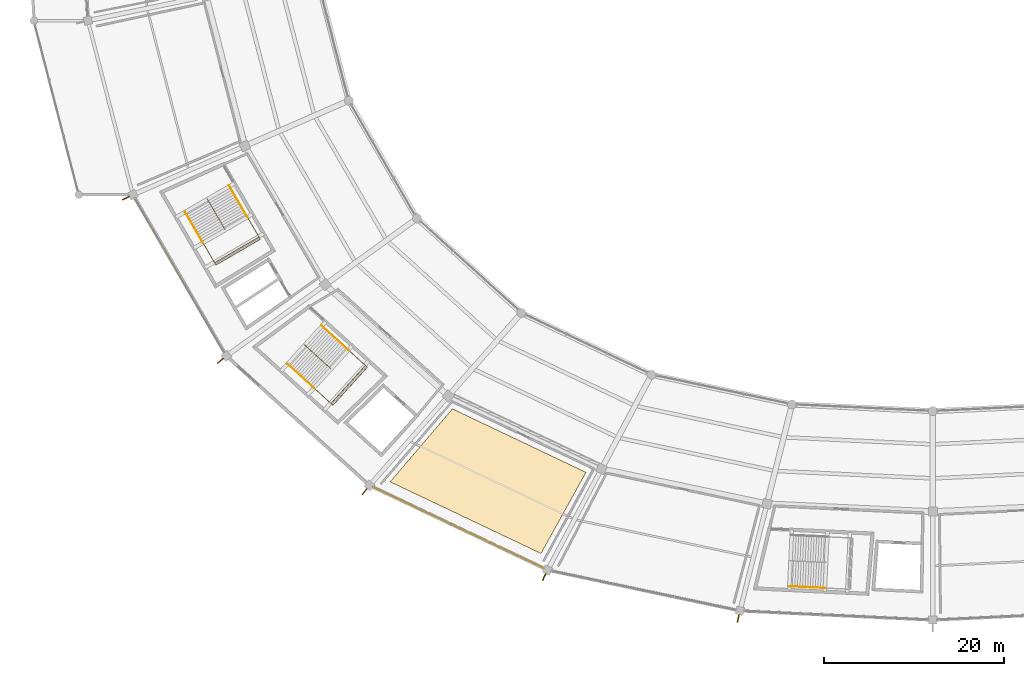
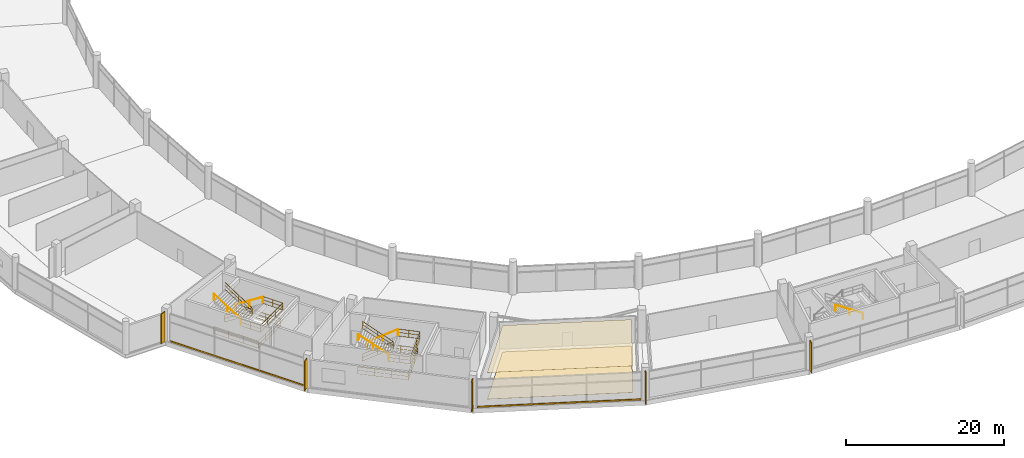
# One storey, part 177 of 184: 11 railings, 5 shading devices, 4 coverings.
"""IFC4 building model written with IfcOpenShell, lengths in metres."""

from ifc_helpers import new_model, si_unit, direction, frame, origin, origin_2d, place, context, subcontext, project, spatial, polyline, rectangle, outline, extrude, material, layer, layer_set, type_object, element, save


model = new_model("IFC4")

# Units and contexts
model_context = context("Model", 3, precision=1e-05, world=origin(), true_north=direction((0.0, 1.0)))
body_context = subcontext(model_context, "Body", "Model", "MODEL_VIEW")
ifc_project = project(units=[si_unit("LENGTHUNIT", "METRE"), si_unit("AREAUNIT", "SQUARE_METRE"), si_unit("VOLUMEUNIT", "CUBIC_METRE"), si_unit("PLANEANGLEUNIT", "RADIAN"), si_unit("MASSUNIT", "GRAM", prefix="KILO")], contexts=[model_context])

# Site, building, storey
site_placement = place(None, origin())
site = spatial("IfcSite", under=ifc_project, at=site_placement, CompositionType="ELEMENT")
building_placement = place(site_placement, origin())
building = spatial("IfcBuilding", under=site, at=building_placement, Name="Kazemori Nagisa Stadium", CompositionType="ELEMENT")
storey_placement = place(building_placement, frame((0.0, 0.0, 10.5400390625)))
storey = spatial("IfcBuildingStorey", under=building, at=storey_placement, Name="L02", CompositionType="ELEMENT", Elevation=10.5400390625)

# Coverings
ifc_material_1 = material(Name="Mineral-fibre acoustic board", Category="gypsum")
ifc_layer_1 = layer(ifc_material_1, 0.02001953125, Name="Mineral-fibre acoustic board", Category="gypsum")
ifc_layer_set_1 = layer_set([ifc_layer_1], Name="Mineral-fibre acoustic board")
covering_type_1 = type_object("IfcCoveringType", Name="Cov_CEIL", PredefinedType="CEILING", material=ifc_layer_set_1)
covering_1_placement = place(storey_placement, frame((0.0, 0.0, 4.10986328125)))
element("IfcCovering", 1, at=covering_1_placement, inside=storey, type_object=covering_type_1, Name="Acoustic ceiling L02-B19", PredefinedType="CEILING", context=body_context, shape_type="SweptSolid", body=[
    extrude(outline(polyline([(69.622802734375, 39.46240234375), (84.466064453125, 32.4091796875), (79.47265625, 23.39111328125), (62.705810546875, 31.3583984375), (69.622802734375, 39.46240234375)])), origin(), (0.0, 0.0, 1.0), 0.02001953125),
])
ifc_material_2 = material(Name="Porcelain stoneware tile", Category="masonry")
ifc_layer_2 = layer(ifc_material_2, 0.02490234375, Name="Porcelain stoneware tile", Category="masonry")
ifc_layer_set_2 = layer_set([ifc_layer_2], Name="Porcelain stoneware tile")
covering_type_2 = type_object("IfcCoveringType", Name="Cov_FLOOR", PredefinedType="FLOORING", material=ifc_layer_set_2)
covering_2_placement = place(storey_placement, origin())
element("IfcCovering", 2, at=covering_2_placement, inside=storey, type_object=covering_type_2, Name="Porcelain floor finish L02-B19", PredefinedType="FLOORING", context=body_context, shape_type="SweptSolid", body=[
    extrude(outline(polyline([(69.622802734375, 39.46240234375), (84.466064453125, 32.4091796875), (79.47265625, 23.39111328125), (62.705810546875, 31.3583984375), (69.622802734375, 39.46240234375)])), origin(), (0.0, 0.0, 1.0), 0.02490234375),
])
ifc_material_3 = material(Name="Anodised aluminium 6063-T5", Category="aluminium")
ifc_layer_3 = layer(ifc_material_3, 0.034912109375, Name="Anodised aluminium 6063-T5", Category="aluminium")
ifc_layer_set_3 = layer_set([ifc_layer_3], Name="Anodised aluminium 6063-T5")
covering_type_3 = type_object("IfcCoveringType", Name="Covering_CLAD", PredefinedType="CLADDING", material=ifc_layer_set_3)
covering_3_placement = place(storey_placement, frame((39.309814453125, 54.29150390625, -0.26025390625), z_axis=(0.0, 0.0, 1.0), x_axis=(0.501611590054, -0.865092950337, 0.0)))
element("IfcCovering", 3, at=covering_3_placement, inside=storey, type_object=covering_type_3, Name="Anodised fascia cladding L02-B17", PredefinedType="CLADDING", context=body_context, shape_type="SweptSolid", body=[
    extrude(rectangle(XDim=19.6123046875, YDim=0.0400390625, at=origin_2d()), origin(), (0.0, 0.0, 1.0), 0.260009765625),
])
covering_4_placement = place(storey_placement, frame((70.298583984375, 26.23828125, -0.26025390625), z_axis=(0.0, 0.0, 1.0), x_axis=(0.903215892654, -0.429186499388, 0.0)))
element("IfcCovering", 4, at=covering_4_placement, inside=storey, type_object=covering_type_3, Name="Anodised fascia cladding L02-B19", PredefinedType="CLADDING", context=body_context, shape_type="SweptSolid", body=[
    extrude(rectangle(XDim=20.814208984375, YDim=0.0400390625, at=origin_2d()), origin(), (0.0, 0.0, 1.0), 0.260009765625),
])

# Shading devices
ifc_material_4 = material(Name="Aluminium 6063-T5 anodised", Category="aluminium")
shading_device_type = type_object("IfcShadingDeviceType", Name="Fin_FN02", PredefinedType="USERDEFINED", material=ifc_material_4)
for number, where, z_axis, x_axis, name in (
    (5, (33.3447265625, 62.87939453125, 0.0), (0.0, 0.0, 1.0), (-0.900968867905, -0.433883739113, 0.0), "Aerodynamic wave shading fin L02-17"),
    (6, (43.836181640625, 44.79931640625, 0.0), (0.0, 0.0, 1.0), (-0.781831482473, -0.623489801853, 0.0), "Aerodynamic wave shading fin L02-18"),
    (7, (59.868896484375, 30.2724609375, 0.0), (0.0, 0.0, 1.0), (-0.623489801853, -0.781831482473, 0.0), "Aerodynamic wave shading fin L02-19"),
    (8, (79.82421875, 20.765380859375, 0.0), (0.0, 0.0, 1.0), (-0.433883739113, -0.900968867905, 0.0), "Aerodynamic wave shading fin L02-20"),
    (9, (101.382080078125, 16.1796875, 0.0), (0.0, 0.0, 1.0), (-0.222520933954, -0.974927912182, 0.0), "Aerodynamic wave shading fin L02-21"),
):
    element("IfcShadingDevice", number, at=place(storey_placement, frame(where, z_axis=z_axis, x_axis=x_axis)), inside=storey, type_object=shading_device_type, Name=name, ObjectType="FIN", PredefinedType="USERDEFINED", context=body_context, shape_type="SweptSolid", body=[
        extrude(rectangle(XDim=0.85009765625, YDim=0.1201171875, at=origin_2d()), origin(), (0.0, 0.0, 1.0), 4.60009765625),
    ])

# Railings
ifc_material_5 = material(Name="Galvanised powder-coated steel", Category="steel")
railing_type_1 = type_object("IfcRailingType", Name="Rail_GUARD", PredefinedType="GUARDRAIL", material=ifc_material_5)
railing_1_placement = place(storey_placement, frame((44.858642578125, 64.196044921875, 0.0)))
element("IfcRailing", 10, at=railing_1_placement, inside=storey, type_object=railing_type_1, Name="Stair well perimeter guard ST09-L02", PredefinedType="GUARDRAIL", context=body_context, shape_type="SweptSolid", body=[
    extrude(rectangle(XDim=0.050048828125, YDim=0.050048828125, at=origin_2d()), frame((0.0, 0.0, 1.09521484375), z_axis=(0.501601054686, -0.865099059032, 0.0), x_axis=(0.865099059032, 0.501601054686, 0.0)), (0.0, 0.0, 1.0), 6.52490234375),
    extrude(rectangle(XDim=0.03759765625, YDim=0.03759765625, at=origin_2d()), frame((0.0, 0.0, 0.58251953125), z_axis=(0.501601054686, -0.865099059032, 0.0), x_axis=(0.865099059032, 0.501601054686, 0.0)), (0.0, 0.0, 1.0), 6.52490234375),
    extrude(rectangle(XDim=0.03759765625, YDim=0.03759765625, at=origin_2d()), frame((0.0, 0.0, 0.02490234375), z_axis=(0.501601054686, -0.865099059032, 0.0), x_axis=(0.865099059032, 0.501601054686, 0.0)), (0.0, 0.0, 1.0), 6.52490234375),
    extrude(rectangle(XDim=0.050048828125, YDim=0.050048828125, at=origin_2d()), frame((3.27294921875, -5.644775390625, 1.09521484375), z_axis=(-0.865091784601, -0.501613600508, 0.0), x_axis=(0.501613600508, -0.865091784601, 0.0)), (0.0, 0.0, 1.0), 5.699951171875),
    extrude(rectangle(XDim=0.03759765625, YDim=0.03759765625, at=origin_2d()), frame((3.27294921875, -5.644775390625, 0.58251953125), z_axis=(-0.865091784601, -0.501613600508, 0.0), x_axis=(0.501613600508, -0.865091784601, 0.0)), (0.0, 0.0, 1.0), 5.699951171875),
    extrude(rectangle(XDim=0.03759765625, YDim=0.03759765625, at=origin_2d()), frame((3.27294921875, -5.644775390625, 0.02490234375), z_axis=(-0.865091784601, -0.501613600508, 0.0), x_axis=(0.501613600508, -0.865091784601, 0.0)), (0.0, 0.0, 1.0), 5.699951171875),
    extrude(rectangle(XDim=0.050048828125, YDim=0.050048828125, at=origin_2d()), frame((-1.657958984375, -8.50390625, 1.09521484375), z_axis=(-0.501645292918, 0.865073407344, 0.0), x_axis=(-0.865073407344, -0.501645292918, 0.0)), (0.0, 0.0, 1.0), 6.52490234375),
    extrude(rectangle(XDim=0.03759765625, YDim=0.03759765625, at=origin_2d()), frame((-1.657958984375, -8.50390625, 0.58251953125), z_axis=(-0.501645292918, 0.865073407344, 0.0), x_axis=(-0.865073407344, -0.501645292918, 0.0)), (0.0, 0.0, 1.0), 6.52490234375),
    extrude(rectangle(XDim=0.03759765625, YDim=0.03759765625, at=origin_2d()), frame((-1.657958984375, -8.50390625, 0.02490234375), z_axis=(-0.501645292918, 0.865073407344, 0.0), x_axis=(-0.865073407344, -0.501645292918, 0.0)), (0.0, 0.0, 1.0), 6.52490234375),
    extrude(rectangle(XDim=0.044921875, YDim=0.044921875, at=origin_2d()), origin(), (0.0, 0.0, 1.0), 1.070068359375),
    extrude(rectangle(XDim=0.044921875, YDim=0.044921875, at=origin_2d()), frame((1.091064453125, -1.881591796875, 0.0)), (0.0, 0.0, 1.0), 1.070068359375),
    extrude(rectangle(XDim=0.044921875, YDim=0.044921875, at=origin_2d()), frame((2.181884765625, -3.76318359375, 0.0)), (0.0, 0.0, 1.0), 1.070068359375),
    extrude(rectangle(XDim=0.044921875, YDim=0.044921875, at=origin_2d()), frame((3.27294921875, -5.644775390625, 0.0)), (0.0, 0.0, 1.0), 1.070068359375),
    extrude(rectangle(XDim=0.044921875, YDim=0.044921875, at=origin_2d()), frame((1.62939453125, -6.597900390625, 0.0)), (0.0, 0.0, 1.0), 1.070068359375),
    extrude(rectangle(XDim=0.044921875, YDim=0.044921875, at=origin_2d()), frame((-0.014404296875, -7.55078125, 0.0)), (0.0, 0.0, 1.0), 1.070068359375),
    extrude(rectangle(XDim=0.044921875, YDim=0.044921875, at=origin_2d()), frame((-1.657958984375, -8.50390625, 0.0)), (0.0, 0.0, 1.0), 1.070068359375),
    extrude(rectangle(XDim=0.044921875, YDim=0.044921875, at=origin_2d()), frame((-2.7490234375, -6.622314453125, 0.0)), (0.0, 0.0, 1.0), 1.070068359375),
    extrude(rectangle(XDim=0.044921875, YDim=0.044921875, at=origin_2d()), frame((-3.840087890625, -4.740966796875, 0.0)), (0.0, 0.0, 1.0), 1.070068359375),
    extrude(rectangle(XDim=0.044921875, YDim=0.044921875, at=origin_2d()), frame((-4.93115234375, -2.859375, 0.0)), (0.0, 0.0, 1.0), 1.070068359375),
])
railing_2_placement = place(storey_placement, frame((42.35302734375, 62.835693359375, 0.0)))
element("IfcRailing", 11, at=railing_2_placement, inside=storey, type_object=railing_type_1, Name="Stair central guard ST09-L02", PredefinedType="GUARDRAIL", context=body_context, shape_type="SweptSolid", body=[
    extrude(rectangle(XDim=0.050048828125, YDim=0.050048828125, at=origin_2d()), frame((0.0, 0.0, 1.09521484375), z_axis=(0.424145693294, -0.731574668096, 0.53375924897), x_axis=(0.865117200348, 0.501569765499, 0.0)), (0.0, 0.0, 1.0), 4.777587890625),
    extrude(rectangle(XDim=0.03759765625, YDim=0.03759765625, at=origin_2d()), frame((0.0, 0.0, 0.58251953125), z_axis=(0.424145693294, -0.731574668096, 0.53375924897), x_axis=(0.865117200348, 0.501569765499, 0.0)), (0.0, 0.0, 1.0), 4.777587890625),
    extrude(rectangle(XDim=0.03759765625, YDim=0.03759765625, at=origin_2d()), frame((0.0, 0.0, 0.02490234375), z_axis=(0.424145693294, -0.731574668096, 0.53375924897), x_axis=(0.865117200348, 0.501569765499, 0.0)), (0.0, 0.0, 1.0), 4.777587890625),
    extrude(rectangle(XDim=0.050048828125, YDim=0.050048828125, at=origin_2d()), frame((2.0263671875, -3.4951171875, 3.64501953125), z_axis=(-0.421736357606, 0.727360443698, 0.541373465934), x_axis=(-0.865099679228, -0.501599985048, 0.0)), (0.0, 0.0, 1.0), 4.7099609375),
    extrude(rectangle(XDim=0.03759765625, YDim=0.03759765625, at=origin_2d()), frame((2.0263671875, -3.4951171875, 3.132568359375), z_axis=(-0.421736357606, 0.727360443698, 0.541373465934), x_axis=(-0.865099679228, -0.501599985048, 0.0)), (0.0, 0.0, 1.0), 4.7099609375),
    extrude(rectangle(XDim=0.03759765625, YDim=0.03759765625, at=origin_2d()), frame((2.0263671875, -3.4951171875, 2.5751953125), z_axis=(-0.421736357606, 0.727360443698, 0.541373465934), x_axis=(-0.865099679228, -0.501599985048, 0.0)), (0.0, 0.0, 1.0), 4.7099609375),
    extrude(rectangle(XDim=0.044921875, YDim=0.044921875, at=origin_2d()), origin(), (0.0, 0.0, 1.0), 1.070068359375),
    extrude(rectangle(XDim=0.044921875, YDim=0.044921875, at=origin_2d()), frame((1.01318359375, -1.74755859375, 1.27490234375)), (0.0, 0.0, 1.0), 1.070068359375),
    extrude(rectangle(XDim=0.044921875, YDim=0.044921875, at=origin_2d()), frame((2.0263671875, -3.4951171875, 2.550048828125)), (0.0, 0.0, 1.0), 1.070068359375),
    extrude(rectangle(XDim=0.044921875, YDim=0.044921875, at=origin_2d()), frame((1.033203125, -1.7822265625, 3.824951171875)), (0.0, 0.0, 1.0), 1.070068359375),
    extrude(rectangle(XDim=0.044921875, YDim=0.044921875, at=origin_2d()), frame((0.0400390625, -0.0693359375, 5.099853515625)), (0.0, 0.0, 1.0), 1.070068359375),
])
railing_3_placement = place(storey_placement, frame((46.844970703125, 60.770263671875, 2.550048828125)))
element("IfcRailing", 12, at=railing_3_placement, inside=storey, type_object=railing_type_1, Name="Stair landing guard ST09-L02", PredefinedType="GUARDRAIL", context=body_context, shape_type="SweptSolid", body=[
    extrude(rectangle(XDim=0.050048828125, YDim=0.050048828125, at=origin_2d()), frame((0.0, 0.0, 1.09521484375), z_axis=(0.501627068055, -0.865083975458, 0.0), x_axis=(0.865083975458, 0.501627068055, 0.0)), (0.0, 0.0, 1.0), 2.85009765625),
    extrude(rectangle(XDim=0.03759765625, YDim=0.03759765625, at=origin_2d()), frame((0.0, 0.0, 0.58251953125), z_axis=(0.501627068055, -0.865083975458, 0.0), x_axis=(0.865083975458, 0.501627068055, 0.0)), (0.0, 0.0, 1.0), 2.85009765625),
    extrude(rectangle(XDim=0.03759765625, YDim=0.03759765625, at=origin_2d()), frame((0.0, 0.0, 0.02490234375), z_axis=(0.501627068055, -0.865083975458, 0.0), x_axis=(0.865083975458, 0.501627068055, 0.0)), (0.0, 0.0, 1.0), 2.85009765625),
    extrude(rectangle(XDim=0.050048828125, YDim=0.050048828125, at=origin_2d()), frame((1.4296875, -2.465576171875, 1.09521484375), z_axis=(-0.865102561401, -0.501595014188, 0.0), x_axis=(0.501595014188, -0.865102561401, 0.0)), (0.0, 0.0, 1.0), 5.7001953125),
    extrude(rectangle(XDim=0.03759765625, YDim=0.03759765625, at=origin_2d()), frame((1.4296875, -2.465576171875, 0.58251953125), z_axis=(-0.865102561401, -0.501595014188, 0.0), x_axis=(0.501595014188, -0.865102561401, 0.0)), (0.0, 0.0, 1.0), 5.7001953125),
    extrude(rectangle(XDim=0.03759765625, YDim=0.03759765625, at=origin_2d()), frame((1.4296875, -2.465576171875, 0.02490234375), z_axis=(-0.865102561401, -0.501595014188, 0.0), x_axis=(0.501595014188, -0.865102561401, 0.0)), (0.0, 0.0, 1.0), 5.7001953125),
    extrude(rectangle(XDim=0.050048828125, YDim=0.050048828125, at=origin_2d()), frame((-3.50146484375, -5.32470703125, 1.09521484375), z_axis=(-0.501627068055, 0.865083975458, 0.0), x_axis=(-0.865083975458, -0.501627068055, 0.0)), (0.0, 0.0, 1.0), 2.85009765625),
    extrude(rectangle(XDim=0.03759765625, YDim=0.03759765625, at=origin_2d()), frame((-3.50146484375, -5.32470703125, 0.58251953125), z_axis=(-0.501627068055, 0.865083975458, 0.0), x_axis=(-0.865083975458, -0.501627068055, 0.0)), (0.0, 0.0, 1.0), 2.85009765625),
    extrude(rectangle(XDim=0.03759765625, YDim=0.03759765625, at=origin_2d()), frame((-3.50146484375, -5.32470703125, 0.02490234375), z_axis=(-0.501627068055, 0.865083975458, 0.0), x_axis=(-0.865083975458, -0.501627068055, 0.0)), (0.0, 0.0, 1.0), 2.85009765625),
    extrude(rectangle(XDim=0.044921875, YDim=0.044921875, at=origin_2d()), origin(), (0.0, 0.0, 1.0), 1.070068359375),
    extrude(rectangle(XDim=0.044921875, YDim=0.044921875, at=origin_2d()), frame((0.71484375, -1.23291015625, 0.0)), (0.0, 0.0, 1.0), 1.070068359375),
    extrude(rectangle(XDim=0.044921875, YDim=0.044921875, at=origin_2d()), frame((1.4296875, -2.465576171875, 0.0)), (0.0, 0.0, 1.0), 1.070068359375),
    extrude(rectangle(XDim=0.044921875, YDim=0.044921875, at=origin_2d()), frame((-0.214111328125, -3.418701171875, 0.0)), (0.0, 0.0, 1.0), 1.070068359375),
    extrude(rectangle(XDim=0.044921875, YDim=0.044921875, at=origin_2d()), frame((-1.857666015625, -4.37158203125, 0.0)), (0.0, 0.0, 1.0), 1.070068359375),
    extrude(rectangle(XDim=0.044921875, YDim=0.044921875, at=origin_2d()), frame((-3.50146484375, -5.32470703125, 0.0)), (0.0, 0.0, 1.0), 1.070068359375),
    extrude(rectangle(XDim=0.044921875, YDim=0.044921875, at=origin_2d()), frame((-4.21630859375, -4.091796875, 0.0)), (0.0, 0.0, 1.0), 1.070068359375),
    extrude(rectangle(XDim=0.044921875, YDim=0.044921875, at=origin_2d()), frame((-4.93115234375, -2.859130859375, 0.0)), (0.0, 0.0, 1.0), 1.070068359375),
])
railing_4_placement = place(storey_placement, frame((55.12353515625, 48.665771484375, 0.0)))
element("IfcRailing", 13, at=railing_4_placement, inside=storey, type_object=railing_type_1, Name="Stair well perimeter guard ST03-L02", PredefinedType="GUARDRAIL", context=body_context, shape_type="SweptSolid", body=[
    extrude(rectangle(XDim=0.050048828125, YDim=0.050048828125, at=origin_2d()), frame((0.0, 0.0, 1.09521484375), z_axis=(0.741348719967, -0.671120015648, 0.0), x_axis=(0.671120015648, 0.741348719967, 0.0)), (0.0, 0.0, 1.0), 6.525146484375),
    extrude(rectangle(XDim=0.03759765625, YDim=0.03759765625, at=origin_2d()), frame((0.0, 0.0, 0.58251953125), z_axis=(0.741348719967, -0.671120015648, 0.0), x_axis=(0.671120015648, 0.741348719967, 0.0)), (0.0, 0.0, 1.0), 6.525146484375),
    extrude(rectangle(XDim=0.03759765625, YDim=0.03759765625, at=origin_2d()), frame((0.0, 0.0, 0.02490234375), z_axis=(0.741348719967, -0.671120015648, 0.0), x_axis=(0.671120015648, 0.741348719967, 0.0)), (0.0, 0.0, 1.0), 6.525146484375),
    extrude(rectangle(XDim=0.050048828125, YDim=0.050048828125, at=origin_2d()), frame((4.83740234375, -4.379150390625, 1.09521484375), z_axis=(-0.67113423669, -0.74133584585, 0.0), x_axis=(0.74133584585, -0.67113423669, 0.0)), (0.0, 0.0, 1.0), 5.699951171875),
    extrude(rectangle(XDim=0.03759765625, YDim=0.03759765625, at=origin_2d()), frame((4.83740234375, -4.379150390625, 0.58251953125), z_axis=(-0.67113423669, -0.74133584585, 0.0), x_axis=(0.74133584585, -0.67113423669, 0.0)), (0.0, 0.0, 1.0), 5.699951171875),
    extrude(rectangle(XDim=0.03759765625, YDim=0.03759765625, at=origin_2d()), frame((4.83740234375, -4.379150390625, 0.02490234375), z_axis=(-0.67113423669, -0.74133584585, 0.0), x_axis=(0.74133584585, -0.67113423669, 0.0)), (0.0, 0.0, 1.0), 5.699951171875),
    extrude(rectangle(XDim=0.050048828125, YDim=0.050048828125, at=origin_2d()), frame((1.011962890625, -8.604736328125, 1.09521484375), z_axis=(-0.741350483516, 0.671118067549, 0.0), x_axis=(-0.671118067549, -0.741350483516, 0.0)), (0.0, 0.0, 1.0), 6.52490234375),
    extrude(rectangle(XDim=0.03759765625, YDim=0.03759765625, at=origin_2d()), frame((1.011962890625, -8.604736328125, 0.58251953125), z_axis=(-0.741350483516, 0.671118067549, 0.0), x_axis=(-0.671118067549, -0.741350483516, 0.0)), (0.0, 0.0, 1.0), 6.52490234375),
    extrude(rectangle(XDim=0.03759765625, YDim=0.03759765625, at=origin_2d()), frame((1.011962890625, -8.604736328125, 0.02490234375), z_axis=(-0.741350483516, 0.671118067549, 0.0), x_axis=(-0.671118067549, -0.741350483516, 0.0)), (0.0, 0.0, 1.0), 6.52490234375),
    extrude(rectangle(XDim=0.044921875, YDim=0.044921875, at=origin_2d()), origin(), (0.0, 0.0, 1.0), 1.070068359375),
    extrude(rectangle(XDim=0.044921875, YDim=0.044921875, at=origin_2d()), frame((1.612548828125, -1.459716796875, 0.0)), (0.0, 0.0, 1.0), 1.070068359375),
    extrude(rectangle(XDim=0.044921875, YDim=0.044921875, at=origin_2d()), frame((3.224853515625, -2.91943359375, 0.0)), (0.0, 0.0, 1.0), 1.070068359375),
    extrude(rectangle(XDim=0.044921875, YDim=0.044921875, at=origin_2d()), frame((4.83740234375, -4.379150390625, 0.0)), (0.0, 0.0, 1.0), 1.070068359375),
    extrude(rectangle(XDim=0.044921875, YDim=0.044921875, at=origin_2d()), frame((3.562255859375, -5.78759765625, 0.0)), (0.0, 0.0, 1.0), 1.070068359375),
    extrude(rectangle(XDim=0.044921875, YDim=0.044921875, at=origin_2d()), frame((2.287109375, -7.1962890625, 0.0)), (0.0, 0.0, 1.0), 1.070068359375),
    extrude(rectangle(XDim=0.044921875, YDim=0.044921875, at=origin_2d()), frame((1.011962890625, -8.604736328125, 0.0)), (0.0, 0.0, 1.0), 1.070068359375),
    extrude(rectangle(XDim=0.044921875, YDim=0.044921875, at=origin_2d()), frame((-0.600341796875, -7.14501953125, 0.0)), (0.0, 0.0, 1.0), 1.070068359375),
    extrude(rectangle(XDim=0.044921875, YDim=0.044921875, at=origin_2d()), frame((-2.212890625, -5.685546875, 0.0)), (0.0, 0.0, 1.0), 1.070068359375),
    extrude(rectangle(XDim=0.044921875, YDim=0.044921875, at=origin_2d()), frame((-3.8251953125, -4.225830078125, 0.0)), (0.0, 0.0, 1.0), 1.070068359375),
])
railing_5_placement = place(storey_placement, frame((53.151611328125, 46.606689453125, 0.0)))
element("IfcRailing", 14, at=railing_5_placement, inside=storey, type_object=railing_type_1, Name="Stair central guard ST03-L02", PredefinedType="GUARDRAIL", context=body_context, shape_type="SweptSolid", body=[
    extrude(rectangle(XDim=0.050048828125, YDim=0.050048828125, at=origin_2d()), frame((0.0, 0.0, 1.09521484375), z_axis=(0.62691046186, -0.5675307784, 0.533752834539), x_axis=(0.671125325747, 0.741343912864, 0.0)), (0.0, 0.0, 1.0), 4.777587890625),
    extrude(rectangle(XDim=0.03759765625, YDim=0.03759765625, at=origin_2d()), frame((0.0, 0.0, 0.58251953125), z_axis=(0.62691046186, -0.5675307784, 0.533752834539), x_axis=(0.671125325747, 0.741343912864, 0.0)), (0.0, 0.0, 1.0), 4.777587890625),
    extrude(rectangle(XDim=0.03759765625, YDim=0.03759765625, at=origin_2d()), frame((0.0, 0.0, 0.02490234375), z_axis=(0.62691046186, -0.5675307784, 0.533752834539), x_axis=(0.671125325747, 0.741343912864, 0.0)), (0.0, 0.0, 1.0), 4.777587890625),
    extrude(rectangle(XDim=0.050048828125, YDim=0.050048828125, at=origin_2d()), frame((2.9951171875, -2.71142578125, 3.64501953125), z_axis=(-0.623314113675, 0.564274215506, 0.541363210247), x_axis=(-0.671124767853, -0.741344417916, 0.0)), (0.0, 0.0, 1.0), 4.7099609375),
    extrude(rectangle(XDim=0.03759765625, YDim=0.03759765625, at=origin_2d()), frame((2.9951171875, -2.71142578125, 3.132568359375), z_axis=(-0.623314113675, 0.564274215506, 0.541363210247), x_axis=(-0.671124767853, -0.741344417916, 0.0)), (0.0, 0.0, 1.0), 4.7099609375),
    extrude(rectangle(XDim=0.03759765625, YDim=0.03759765625, at=origin_2d()), frame((2.9951171875, -2.71142578125, 2.5751953125), z_axis=(-0.623314113675, 0.564274215506, 0.541363210247), x_axis=(-0.671124767853, -0.741344417916, 0.0)), (0.0, 0.0, 1.0), 4.7099609375),
    extrude(rectangle(XDim=0.044921875, YDim=0.044921875, at=origin_2d()), origin(), (0.0, 0.0, 1.0), 1.070068359375),
    extrude(rectangle(XDim=0.044921875, YDim=0.044921875, at=origin_2d()), frame((1.49755859375, -1.355712890625, 1.27490234375)), (0.0, 0.0, 1.0), 1.070068359375),
    extrude(rectangle(XDim=0.044921875, YDim=0.044921875, at=origin_2d()), frame((2.9951171875, -2.71142578125, 2.550048828125)), (0.0, 0.0, 1.0), 1.070068359375),
    extrude(rectangle(XDim=0.044921875, YDim=0.044921875, at=origin_2d()), frame((1.52734375, -1.382568359375, 3.824951171875)), (0.0, 0.0, 1.0), 1.070068359375),
    extrude(rectangle(XDim=0.044921875, YDim=0.044921875, at=origin_2d()), frame((0.059326171875, -0.0537109375, 5.099853515625)), (0.0, 0.0, 1.0), 1.070068359375),
])
railing_6_placement = place(storey_placement, frame((58.059326171875, 46.008056640625, 2.550048828125)))
element("IfcRailing", 15, at=railing_6_placement, inside=storey, type_object=railing_type_1, Name="Stair landing guard ST03-L02", PredefinedType="GUARDRAIL", context=body_context, shape_type="SweptSolid", body=[
    extrude(rectangle(XDim=0.050048828125, YDim=0.050048828125, at=origin_2d()), frame((0.0, 0.0, 1.09521484375), z_axis=(0.741357156534, -0.671110696127, 0.0), x_axis=(0.671110696127, 0.741357156534, 0.0)), (0.0, 0.0, 1.0), 2.849853515625),
    extrude(rectangle(XDim=0.03759765625, YDim=0.03759765625, at=origin_2d()), frame((0.0, 0.0, 0.58251953125), z_axis=(0.741357156534, -0.671110696127, 0.0), x_axis=(0.671110696127, 0.741357156534, 0.0)), (0.0, 0.0, 1.0), 2.849853515625),
    extrude(rectangle(XDim=0.03759765625, YDim=0.03759765625, at=origin_2d()), frame((0.0, 0.0, 0.02490234375), z_axis=(0.741357156534, -0.671110696127, 0.0), x_axis=(0.671110696127, 0.741357156534, 0.0)), (0.0, 0.0, 1.0), 2.849853515625),
    extrude(rectangle(XDim=0.050048828125, YDim=0.050048828125, at=origin_2d()), frame((2.11279296875, -1.91259765625, 1.09521484375), z_axis=(-0.671089385604, -0.741376447245, 0.0), x_axis=(0.741376447245, -0.671089385604, 0.0)), (0.0, 0.0, 1.0), 5.699951171875),
    extrude(rectangle(XDim=0.03759765625, YDim=0.03759765625, at=origin_2d()), frame((2.11279296875, -1.91259765625, 0.58251953125), z_axis=(-0.671089385604, -0.741376447245, 0.0), x_axis=(0.741376447245, -0.671089385604, 0.0)), (0.0, 0.0, 1.0), 5.699951171875),
    extrude(rectangle(XDim=0.03759765625, YDim=0.03759765625, at=origin_2d()), frame((2.11279296875, -1.91259765625, 0.02490234375), z_axis=(-0.671089385604, -0.741376447245, 0.0), x_axis=(0.741376447245, -0.671089385604, 0.0)), (0.0, 0.0, 1.0), 5.699951171875),
    extrude(rectangle(XDim=0.050048828125, YDim=0.050048828125, at=origin_2d()), frame((-1.71240234375, -6.138427734375, 1.09521484375), z_axis=(-0.741353118424, 0.671115156887, 0.0), x_axis=(-0.671115156887, -0.741353118424, 0.0)), (0.0, 0.0, 1.0), 2.850341796875),
    extrude(rectangle(XDim=0.03759765625, YDim=0.03759765625, at=origin_2d()), frame((-1.71240234375, -6.138427734375, 0.58251953125), z_axis=(-0.741353118424, 0.671115156887, 0.0), x_axis=(-0.671115156887, -0.741353118424, 0.0)), (0.0, 0.0, 1.0), 2.850341796875),
    extrude(rectangle(XDim=0.03759765625, YDim=0.03759765625, at=origin_2d()), frame((-1.71240234375, -6.138427734375, 0.02490234375), z_axis=(-0.741353118424, 0.671115156887, 0.0), x_axis=(-0.671115156887, -0.741353118424, 0.0)), (0.0, 0.0, 1.0), 2.850341796875),
    extrude(rectangle(XDim=0.044921875, YDim=0.044921875, at=origin_2d()), origin(), (0.0, 0.0, 1.0), 1.070068359375),
    extrude(rectangle(XDim=0.044921875, YDim=0.044921875, at=origin_2d()), frame((1.056396484375, -0.956298828125, 0.0)), (0.0, 0.0, 1.0), 1.070068359375),
    extrude(rectangle(XDim=0.044921875, YDim=0.044921875, at=origin_2d()), frame((2.11279296875, -1.91259765625, 0.0)), (0.0, 0.0, 1.0), 1.070068359375),
    extrude(rectangle(XDim=0.044921875, YDim=0.044921875, at=origin_2d()), frame((0.837646484375, -3.3212890625, 0.0)), (0.0, 0.0, 1.0), 1.070068359375),
    extrude(rectangle(XDim=0.044921875, YDim=0.044921875, at=origin_2d()), frame((-0.437255859375, -4.729736328125, 0.0)), (0.0, 0.0, 1.0), 1.070068359375),
    extrude(rectangle(XDim=0.044921875, YDim=0.044921875, at=origin_2d()), frame((-1.71240234375, -6.138427734375, 0.0)), (0.0, 0.0, 1.0), 1.070068359375),
    extrude(rectangle(XDim=0.044921875, YDim=0.044921875, at=origin_2d()), frame((-2.76904296875, -5.18212890625, 0.0)), (0.0, 0.0, 1.0), 1.070068359375),
    extrude(rectangle(XDim=0.044921875, YDim=0.044921875, at=origin_2d()), frame((-3.825439453125, -4.2255859375, 0.0)), (0.0, 0.0, 1.0), 1.070068359375),
])
ifc_material_6 = material(Name="Stainless steel SUS304", Category="steel")
railing_type_2 = type_object("IfcRailingType", Name="Rail_HAND", PredefinedType="HANDRAIL", material=ifc_material_6)
railing_7_placement = place(storey_placement, frame((44.818359375, 64.26513671875, 0.169921875)))
element("IfcRailing", 16, at=railing_7_placement, inside=storey, type_object=railing_type_2, Name="Stair handrail ST09-L02-F1", PredefinedType="HANDRAIL", context=body_context, shape_type="SweptSolid", body=[
    extrude(rectangle(XDim=0.050048828125, YDim=0.050048828125, at=origin_2d()), frame((0.0, 0.0, 0.875), z_axis=(0.424203458451, -0.731535056948, 0.533767633239), x_axis=(0.865075772332, 0.501641214539, 0.0)), (0.0, 0.0, 1.0), 4.77734375),
    extrude(rectangle(XDim=0.044921875, YDim=0.044921875, at=origin_2d()), origin(), (0.0, 0.0, 1.0), 0.849853515625),
    extrude(rectangle(XDim=0.044921875, YDim=0.044921875, at=origin_2d()), frame((1.01318359375, -1.74755859375, 1.27490234375)), (0.0, 0.0, 1.0), 0.849853515625),
    extrude(rectangle(XDim=0.044921875, YDim=0.044921875, at=origin_2d()), frame((2.026611328125, -3.494873046875, 2.550048828125)), (0.0, 0.0, 1.0), 0.849853515625),
])
railing_8_placement = place(storey_placement, frame((41.913818359375, 57.9111328125, 2.719970703125)))
element("IfcRailing", 17, at=railing_8_placement, inside=storey, type_object=railing_type_2, Name="Stair handrail ST09-L02-F2", PredefinedType="HANDRAIL", context=body_context, shape_type="SweptSolid", body=[
    extrude(rectangle(XDim=0.050048828125, YDim=0.050048828125, at=origin_2d()), frame((0.0, 0.0, 0.875), z_axis=(-0.421740422403, 0.727315617839, 0.541430520158), x_axis=(-0.865084166208, -0.501626739097, 0.0)), (0.0, 0.0, 1.0), 4.709716796875),
    extrude(rectangle(XDim=0.044921875, YDim=0.044921875, at=origin_2d()), origin(), (0.0, 0.0, 1.0), 0.849853515625),
    extrude(rectangle(XDim=0.044921875, YDim=0.044921875, at=origin_2d()), frame((-0.9931640625, 1.712890625, 1.27490234375)), (0.0, 0.0, 1.0), 0.849853515625),
    extrude(rectangle(XDim=0.044921875, YDim=0.044921875, at=origin_2d()), frame((-1.986328125, 3.425537109375, 2.550048828125)), (0.0, 0.0, 1.0), 0.849853515625),
])
railing_9_placement = place(storey_placement, frame((55.064208984375, 48.719482421875, 0.169921875)))
element("IfcRailing", 18, at=railing_9_placement, inside=storey, type_object=railing_type_2, Name="Stair handrail ST03-L02-F1", PredefinedType="HANDRAIL", context=body_context, shape_type="SweptSolid", body=[
    extrude(rectangle(XDim=0.050048828125, YDim=0.050048828125, at=origin_2d()), frame((0.0, 0.0, 0.875), z_axis=(0.62691046186, -0.5675307784, 0.533752834539), x_axis=(0.671125325747, 0.741343912864, 0.0)), (0.0, 0.0, 1.0), 4.777587890625),
    extrude(rectangle(XDim=0.044921875, YDim=0.044921875, at=origin_2d()), origin(), (0.0, 0.0, 1.0), 0.849853515625),
    extrude(rectangle(XDim=0.044921875, YDim=0.044921875, at=origin_2d()), frame((1.49755859375, -1.355712890625, 1.27490234375)), (0.0, 0.0, 1.0), 0.849853515625),
    extrude(rectangle(XDim=0.044921875, YDim=0.044921875, at=origin_2d()), frame((2.9951171875, -2.71142578125, 2.550048828125)), (0.0, 0.0, 1.0), 0.849853515625),
])
railing_10_placement = place(storey_placement, frame((54.23388671875, 41.782470703125, 2.719970703125)))
element("IfcRailing", 19, at=railing_10_placement, inside=storey, type_object=railing_type_2, Name="Stair handrail ST03-L02-F2", PredefinedType="HANDRAIL", context=body_context, shape_type="SweptSolid", body=[
    extrude(rectangle(XDim=0.050048828125, YDim=0.050048828125, at=origin_2d()), frame((0.0, 0.0, 0.875), z_axis=(-0.623283154765, 0.564241279076, 0.541433179601), x_axis=(-0.671121558243, -0.741347323501, 0.0)), (0.0, 0.0, 1.0), 4.709716796875),
    extrude(rectangle(XDim=0.044921875, YDim=0.044921875, at=origin_2d()), origin(), (0.0, 0.0, 1.0), 0.849853515625),
    extrude(rectangle(XDim=0.044921875, YDim=0.044921875, at=origin_2d()), frame((-1.4677734375, 1.32861328125, 1.27490234375)), (0.0, 0.0, 1.0), 0.849853515625),
    extrude(rectangle(XDim=0.044921875, YDim=0.044921875, at=origin_2d()), frame((-2.935546875, 2.657470703125, 2.550048828125)), (0.0, 0.0, 1.0), 0.849853515625),
])
railing_11_placement = place(storey_placement, frame((111.01123046875, 19.55419921875, 2.719970703125)))
element("IfcRailing", 20, at=railing_11_placement, inside=storey, type_object=railing_type_2, Name="Stair handrail ST12-L02-F2", PredefinedType="HANDRAIL", context=body_context, shape_type="SweptSolid", body=[
    extrude(rectangle(XDim=0.050048828125, YDim=0.050048828125, at=origin_2d()), frame((0.0, 0.0, 0.875), z_axis=(-0.839820593296, 0.039705133592, 0.541410078816), x_axis=(-0.047225363734, -0.998884260072, 0.0)), (0.0, 0.0, 1.0), 4.7099609375),
    extrude(rectangle(XDim=0.044921875, YDim=0.044921875, at=origin_2d()), origin(), (0.0, 0.0, 1.0), 0.849853515625),
    extrude(rectangle(XDim=0.044921875, YDim=0.044921875, at=origin_2d()), frame((-1.977783203125, 0.093505859375, 1.27490234375)), (0.0, 0.0, 1.0), 0.849853515625),
    extrude(rectangle(XDim=0.044921875, YDim=0.044921875, at=origin_2d()), frame((-3.95556640625, 0.18701171875, 2.550048828125)), (0.0, 0.0, 1.0), 0.849853515625),
])

save(model, "model.ifc")
